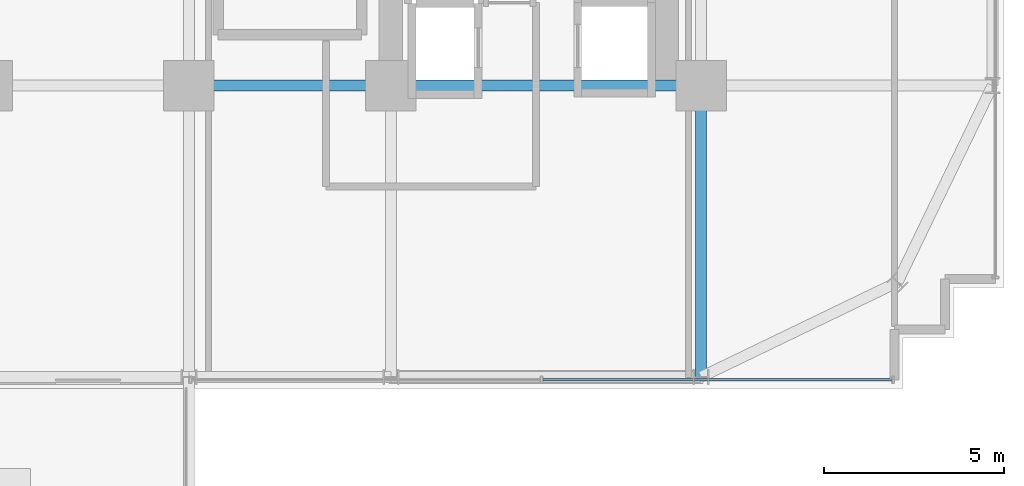
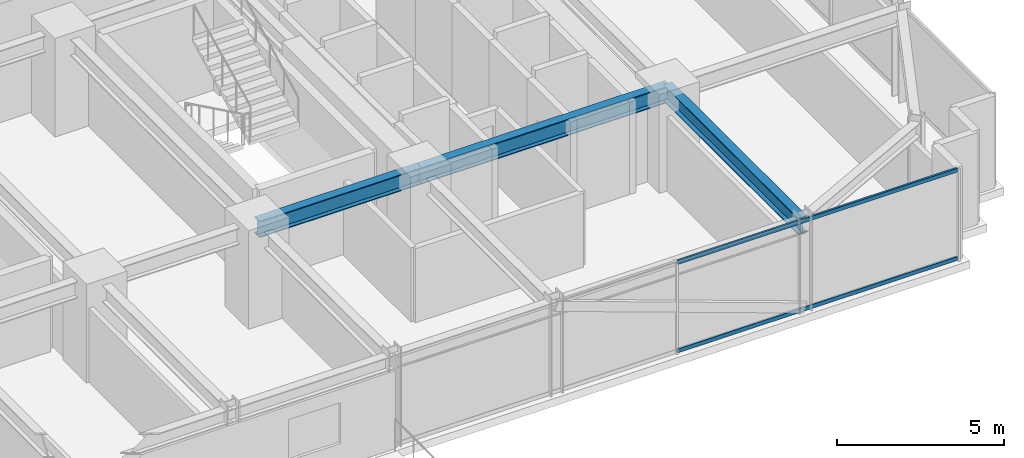
# One storey, part 14 of 38: 3 beams, 2 members, 1 element without a shape of its own.
"""IFC4 building model written with IfcOpenShell, lengths in metres."""

import ifcopenshell
import ifcopenshell.guid

model = None  # the IFC model being written
_history = None  # IfcOwnerHistory: only IFC2X3 demands one
_inside = {}  # id of a spatial element -> (the spatial element, [elements in it])
_under = {}  # id of a project, library or spatial element -> (it, [spatial elements below it])
_declared = {}  # id of a project -> (the project, [libraries it declares])
_typed = {}  # id of a type object -> (the type object, [elements of that type])
_made_of = {}  # id of a material, layer set ... -> (it, [elements and type objects made of it])


def new_model(schema):
    """Start an empty IFC model of exactly this schema.

    Asked for "IFC4X3", IfcOpenShell would pick the latest addendum, in which some entities
    have other attributes; the version numbers below select the first issue.
    IFC2X3 requires an IfcOwnerHistory on every rooted entity: one is made here for all.
    """
    global model, _history
    if schema == "IFC4X3":
        model = ifcopenshell.file(schema_version=(4, 3, 0, 0))
    else:
        model = ifcopenshell.file(schema=schema)
    _inside.clear()
    _under.clear()
    _declared.clear()
    _typed.clear()
    _made_of.clear()
    _history = None
    if model.schema == "IFC2X3":
        org = make("IfcOrganization", Name="unknown")
        user = make(
            "IfcPersonAndOrganization",
            ThePerson=make("IfcPerson", FamilyName="unknown"),
            TheOrganization=org,
        )
        app = make(
            "IfcApplication",
            ApplicationDeveloper=org,
            Version="unknown",
            ApplicationFullName="unknown",
            ApplicationIdentifier="unknown",
        )
        _history = make(
            "IfcOwnerHistory",
            OwningUser=user,
            OwningApplication=app,
            ChangeAction="ADDED",
            CreationDate=0,
        )
    return model


def make(cls, **values):
    """One entity of the class cls with the attributes given. An attribute that is None is left unset."""
    return model.create_entity(
        cls, **{name: value for name, value in values.items() if value is not None}
    )


def rooted(cls, **values):
    """An entity with a GlobalId (a new one), such as an element, a storey or a relation."""
    return make(cls, GlobalId=ifcopenshell.guid.new(), OwnerHistory=_history, **values)


def si_unit(unit_type, name, prefix=None):
    """IfcSIUnit, for example si_unit("LENGTHUNIT", "METRE", prefix="MILLI")."""
    return make("IfcSIUnit", UnitType=unit_type, Prefix=prefix, Name=name)


def assignment(units):
    """IfcUnitAssignment: the units of a project."""
    return None if units is None else make("IfcUnitAssignment", Units=units)


def point(xyz):
    """IfcCartesianPoint."""
    return None if xyz is None else make("IfcCartesianPoint", Coordinates=xyz)


def direction(xyz):
    """IfcDirection."""
    return None if xyz is None else make("IfcDirection", DirectionRatios=xyz)


def frame(location, z_axis=None, x_axis=None):
    """IfcAxis2Placement3D, a coordinate frame: its origin and axes. An axis left out is left unset."""
    return make(
        "IfcAxis2Placement3D",
        Location=point(location),
        Axis=direction(z_axis),
        RefDirection=direction(x_axis),
    )


def frame_2d(location, x_axis=None):
    """IfcAxis2Placement2D, a coordinate frame in the plane: its origin and x axis."""
    return make(
        "IfcAxis2Placement2D", Location=point(location), RefDirection=direction(x_axis)
    )


def origin():
    """The frame at (0, 0, 0) with its axes left unset."""
    return frame((0.0, 0.0, 0.0))


def origin_2d():
    """The frame at (0, 0) in the plane with its x axis left unset."""
    return frame_2d((0.0, 0.0))


def place(relative_to, where):
    """IfcLocalPlacement: puts the frame where relative to a parent placement (None: the world)."""
    return make(
        "IfcLocalPlacement", PlacementRelTo=relative_to, RelativePlacement=where
    )


def context(
    kind, dimensions, precision=None, world=None, true_north=None, identifier=None
):
    """IfcGeometricRepresentationContext, for example the 3D "Model" context."""
    return make(
        "IfcGeometricRepresentationContext",
        ContextIdentifier=identifier,
        ContextType=kind,
        CoordinateSpaceDimension=dimensions,
        Precision=precision,
        WorldCoordinateSystem=world,
        TrueNorth=true_north,
    )


def subcontext(parent, identifier, kind, view, scale=None):
    """IfcGeometricRepresentationSubContext, for example "Body" below "Model"."""
    return make(
        "IfcGeometricRepresentationSubContext",
        ContextIdentifier=identifier,
        ContextType=kind,
        ParentContext=parent,
        TargetScale=scale,
        TargetView=view,
    )


def project(units=None, contexts=None):
    """IfcProject with its units and contexts."""
    return rooted(
        "IfcProject",
        Name="project",
        RepresentationContexts=contexts,
        UnitsInContext=assignment(units),
    )


def spatial(cls, under=None, at=None, **own):
    """A site, building, storey or space (cls), placed at a placement, below another one or the project."""
    s = rooted(cls, ObjectPlacement=at, **own)
    if under is not None:
        _under.setdefault(under.id(), (under, []))[1].append(s)
    return s


def profile(cls, at=None, kind="AREA", **sizes):
    """A parametric profile (cls). Its sizes go by their IFC names, for example OverallWidth=200.0."""
    return make(cls, ProfileType=kind, Position=at, **sizes)


def hollow_rectangle(**sizes):
    """IfcRectangleHollowProfileDef."""
    return profile("IfcRectangleHollowProfileDef", **sizes)


def i_section(**sizes):
    """IfcIShapeProfileDef."""
    return profile("IfcIShapeProfileDef", **sizes)


def extrude(swept, where, along, depth):
    """IfcExtrudedAreaSolid: the profile swept, set in the frame where, extruded along a direction by depth."""
    return make(
        "IfcExtrudedAreaSolid",
        SweptArea=swept,
        Position=where,
        ExtrudedDirection=direction(along),
        Depth=depth,
    )


def shape(context_of_items, identifier, shape_type, items):
    """IfcShapeRepresentation: the items that make up one representation, for example the "Body"."""
    return make(
        "IfcShapeRepresentation",
        ContextOfItems=context_of_items,
        RepresentationIdentifier=identifier,
        RepresentationType=shape_type,
        Items=items,
    )


def source(mapping_origin, context_of_items, identifier, shape_type, items):
    """IfcRepresentationMap: a shape defined once, which mapped items show again and again."""
    return make(
        "IfcRepresentationMap",
        MappingOrigin=mapping_origin,
        MappedRepresentation=shape(context_of_items, identifier, shape_type, items),
    )


def transform(
    local_origin,
    x_axis=None,
    y_axis=None,
    z_axis=None,
    scale=None,
    scale2=None,
    scale3=None,
    uniform=True,
):
    """IfcCartesianTransformationOperator3D, or its non-uniform kind. x_axis, y_axis, z_axis: its Axis1, 2, 3."""
    if uniform:
        return make(
            "IfcCartesianTransformationOperator3D",
            Axis1=direction(x_axis),
            Axis2=direction(y_axis),
            LocalOrigin=point(local_origin),
            Scale=scale,
            Axis3=direction(z_axis),
        )
    return make(
        "IfcCartesianTransformationOperator3DnonUniform",
        Axis1=direction(x_axis),
        Axis2=direction(y_axis),
        LocalOrigin=point(local_origin),
        Scale=scale,
        Axis3=direction(z_axis),
        Scale2=scale2,
        Scale3=scale3,
    )


def mapped(mapping_source, mapping_target):
    """IfcMappedItem: shows the shape of a source again, moved by a transform."""
    return make(
        "IfcMappedItem", MappingSource=mapping_source, MappingTarget=mapping_target
    )


def material(Name=None, Category=None):
    """IfcMaterial."""
    return make("IfcMaterial", Name=Name, Category=Category)


def material_profile(
    of_material, cross_section, Name=None, Category=None, Priority=None
):
    """IfcMaterialProfile: a cross section and its material."""
    return make(
        "IfcMaterialProfile",
        Name=Name,
        Material=of_material,
        Profile=cross_section,
        Priority=Priority,
        Category=Category,
    )


def profile_set(profiles, Name=None, composite=None):
    """IfcMaterialProfileSet."""
    return make(
        "IfcMaterialProfileSet",
        Name=Name,
        MaterialProfiles=profiles,
        CompositeProfile=composite,
    )


def made_of(thing, what):
    """Note that an element or type object is made of a material, layer set ...; save() writes the relation."""
    if what is not None:
        _made_of.setdefault(what.id(), (what, []))[1].append(thing)
    return thing


def type_object(cls, material=None, **own):
    """A type object (cls), such as IfcWallType, which elements share."""
    return made_of(rooted(cls, **own), material)


def element(
    cls,
    number,
    at=None,
    inside=None,
    cuts=None,
    type_object=None,
    material=None,
    context=None,
    identifier="Body",
    shape_type=None,
    held_by="IfcProductDefinitionShape",
    body=None,
    shapes=None,
    **own,
):
    """One element of the class cls, such as IfcWall. Its Tag is "e" and its number.

    at: its placement. inside: the storey or other place that contains it. cuts: it is an
    opening in that element (IfcRelVoidsElement). A single representation is given by context,
    identifier, shape_type and body (its items); several are given by shapes. held_by: the class
    of the entity that holds the representations. save() writes the other relations.
    """
    e = rooted(cls, Tag="e%d" % number, ObjectPlacement=at, **own)
    if body is not None:
        shapes = [shape(context, identifier, shape_type, body)]
    if shapes is not None:
        e.Representation = make(held_by, Representations=shapes)
    if inside is not None:
        _inside.setdefault(inside.id(), (inside, []))[1].append(e)
    if cuts is not None:
        rooted(
            "IfcRelVoidsElement", RelatingBuildingElement=cuts, RelatedOpeningElement=e
        )
    if type_object is not None:
        _typed.setdefault(type_object.id(), (type_object, []))[1].append(e)
    return made_of(e, material)


def aggregate(whole, parts):
    """IfcRelAggregates: a whole, such as a stair, and the parts it consists of."""
    return rooted("IfcRelAggregates", RelatingObject=whole, RelatedObjects=parts)


def save(model, path):
    """Write the relations noted so far, then the file.

    IfcRelAggregates (storeys below a building ...), IfcRelContainedInSpatialStructure (elements
    in a storey), IfcRelDefinesByType, IfcRelAssociatesMaterial and IfcRelDeclares: one each for
    every whole, place, type object, material and project.
    """
    for whole, parts in _under.values():
        aggregate(whole, parts)
    for where, things in _inside.values():
        rooted(
            "IfcRelContainedInSpatialStructure",
            RelatedElements=things,
            RelatingStructure=where,
        )
    for kind, things in _typed.values():
        rooted("IfcRelDefinesByType", RelatedObjects=things, RelatingType=kind)
    for what, things in _made_of.values():
        rooted("IfcRelAssociatesMaterial", RelatedObjects=things, RelatingMaterial=what)
    for by, libraries in _declared.values():
        rooted("IfcRelDeclares", RelatingContext=by, RelatedDefinitions=libraries)
    model.write(path)


model = new_model("IFC4")

# Units and contexts
model_context = context("Model", 3, precision=1e-05, world=origin(), true_north=direction((0.0, 1.0)))
body_context = subcontext(model_context, "Body", "Model", "MODEL_VIEW")
ifc_project = project(units=[si_unit("LENGTHUNIT", "METRE"), si_unit("AREAUNIT", "SQUARE_METRE"), si_unit("VOLUMEUNIT", "CUBIC_METRE"), si_unit("PLANEANGLEUNIT", "RADIAN"), si_unit("MASSUNIT", "GRAM", prefix="KILO")], contexts=[model_context])

# Site, building, storey
site_placement = place(None, origin())
site = spatial("IfcSite", under=ifc_project, at=site_placement, CompositionType="ELEMENT")
building_placement = place(site_placement, origin())
building = spatial("IfcBuilding", under=site, at=building_placement, Name="Nahalor Promenade Grand Hotel", CompositionType="ELEMENT")
storey_placement = place(building_placement, frame((0.0, 0.0, 50.64990234375)))
storey = spatial("IfcBuildingStorey", under=building, at=storey_placement, Name="L11", CompositionType="ELEMENT", Elevation=50.64990234375)

# Beams
ifc_material_1 = material(Name="Steel S355JR", Category="steel")
ifc_material_profile_1 = material_profile(ifc_material_1, i_section(OverallWidth=0.3, OverallDepth=0.6, WebThickness=0.0155, FlangeThickness=0.03, at=origin_2d()), Name="HEB 600")
ifc_profile_set_1 = profile_set([ifc_material_profile_1], Name="Steel S355JR")
beam_type = type_object("IfcBeamType", Name="Beam-Girder-HEB600", PredefinedType="BEAM", material=ifc_profile_set_1)
shared_shape_1 = source(origin(), body_context, "Body", "SweptSolid", [
    extrude(i_section(OverallWidth=0.3, OverallDepth=0.6, WebThickness=0.0155, FlangeThickness=0.03, at=origin_2d()), origin(), (0.0, 0.0, 1.0), 8.60009765625),
])
beam_1_placement = place(storey_placement, frame((8.39990234375, -17.0, 3.070068359375), z_axis=(1.0, 0.0, 0.0), x_axis=(0.0, 1.0, 0.0)))
element("IfcBeam", 1, at=beam_1_placement, inside=storey, type_object=beam_type, Name="BM-L11-GX-0-5", PredefinedType="BEAM", context=body_context, shape_type="MappedRepresentation", body=[
    mapped(shared_shape_1, transform((0.0, 0.0, 0.0), scale=1.0)),
])
shared_shape_2 = source(origin(), body_context, "Body", "SweptSolid", [
    extrude(i_section(OverallWidth=0.3, OverallDepth=0.6, WebThickness=0.0155, FlangeThickness=0.03, at=origin_2d()), origin(), (0.0, 0.0, 1.0), 5.599853515625),
])
beam_2_placement = place(storey_placement, frame((2.800048828125, -17.0, 3.070068359375), z_axis=(1.0, 0.0, 0.0), x_axis=(0.0, 1.0, 0.0)))
element("IfcBeam", 2, at=beam_2_placement, inside=storey, type_object=beam_type, Name="BM-L11-GX-0-4", PredefinedType="BEAM", context=body_context, shape_type="MappedRepresentation", body=[
    mapped(shared_shape_2, transform((0.0, 0.0, 0.0), scale=1.0)),
])
shared_shape_3 = source(origin(), body_context, "Body", "SweptSolid", [
    extrude(i_section(OverallWidth=0.3, OverallDepth=0.6, WebThickness=0.0155, FlangeThickness=0.03, at=origin_2d()), origin(), (0.0, 0.0, 1.0), 8.080078125),
])
beam_3_placement = place(storey_placement, frame((17.0, -25.080078125, 3.070068359375), z_axis=(0.0, 1.0, 0.0), x_axis=(-1.0, 0.0, 0.0)))
element("IfcBeam", 3, at=beam_3_placement, inside=storey, type_object=beam_type, Name="BM-L11-GY-5-0", PredefinedType="BEAM", context=body_context, shape_type="MappedRepresentation", body=[
    mapped(shared_shape_3, transform((0.0, 0.0, 0.0), scale=1.0)),
])

# Curtain wall, members
ifc_material_2 = material(Name="Anodised Bronze Aluminium EN AW-6063 T6", Category="aluminium")
curtain_wall_type = type_object("IfcCurtainWallType", Name="CW3 Elliptical-Void Collar Unitised Curtain Wall", PredefinedType="USERDEFINED", material=ifc_material_2)
curtain_wall_placement = place(storey_placement, origin())
curtain_wall = element("IfcCurtainWall", 4, at=curtain_wall_placement, inside=storey, type_object=curtain_wall_type, Name="L11 Curtain Wall CW-L11-S-3", ObjectType="UNITISED_CURTAIN_WALL", PredefinedType="USERDEFINED")
ifc_material_profile_2 = material_profile(ifc_material_2, hollow_rectangle(XDim=0.07, YDim=0.14, WallThickness=0.004, at=origin_2d()), Name="CWT 70x140x4")
ifc_profile_set_2 = profile_set([ifc_material_profile_2], Name="Anodised Bronze Aluminium EN AW-6063 T6")
member_type = type_object("IfcMemberType", Name="CWT3 Void Collar Transom 70x140", PredefinedType="USERDEFINED", material=ifc_profile_set_2)
shared_shape_4 = source(origin(), body_context, "Body", "SweptSolid", [
    extrude(hollow_rectangle(XDim=0.07, YDim=0.14, WallThickness=0.004, at=origin_2d()), origin(), (0.0, 0.0, 1.0), 9.675048828125),
])
member_1_placement = place(storey_placement, frame((12.614990234375, -25.159912109375, 0.070068359375), z_axis=(1.0, 0.0, 0.0), x_axis=(0.0, 1.0, 0.0)))
member_1 = element("IfcMember", 5, at=member_1_placement, type_object=member_type, Name="CW-L11-S-3 Transom 1-0", ObjectType="TRANSOM", PredefinedType="USERDEFINED", context=body_context, shape_type="MappedRepresentation", body=[
    mapped(shared_shape_4, transform((0.0, 0.0, 0.0), scale=1.0)),
])
member_2_placement = place(storey_placement, frame((12.614990234375, -25.159912109375, 3.300048828125), z_axis=(1.0, 0.0, 0.0), x_axis=(0.0, 1.0, 0.0)))
member_2 = element("IfcMember", 6, at=member_2_placement, type_object=member_type, Name="CW-L11-S-3 Transom 1-1", ObjectType="TRANSOM", PredefinedType="USERDEFINED", context=body_context, shape_type="MappedRepresentation", body=[
    mapped(shared_shape_4, transform((0.0, 0.0, 0.0), scale=1.0)),
])
aggregate(curtain_wall, [member_1, member_2])

save(model, "model.ifc")
